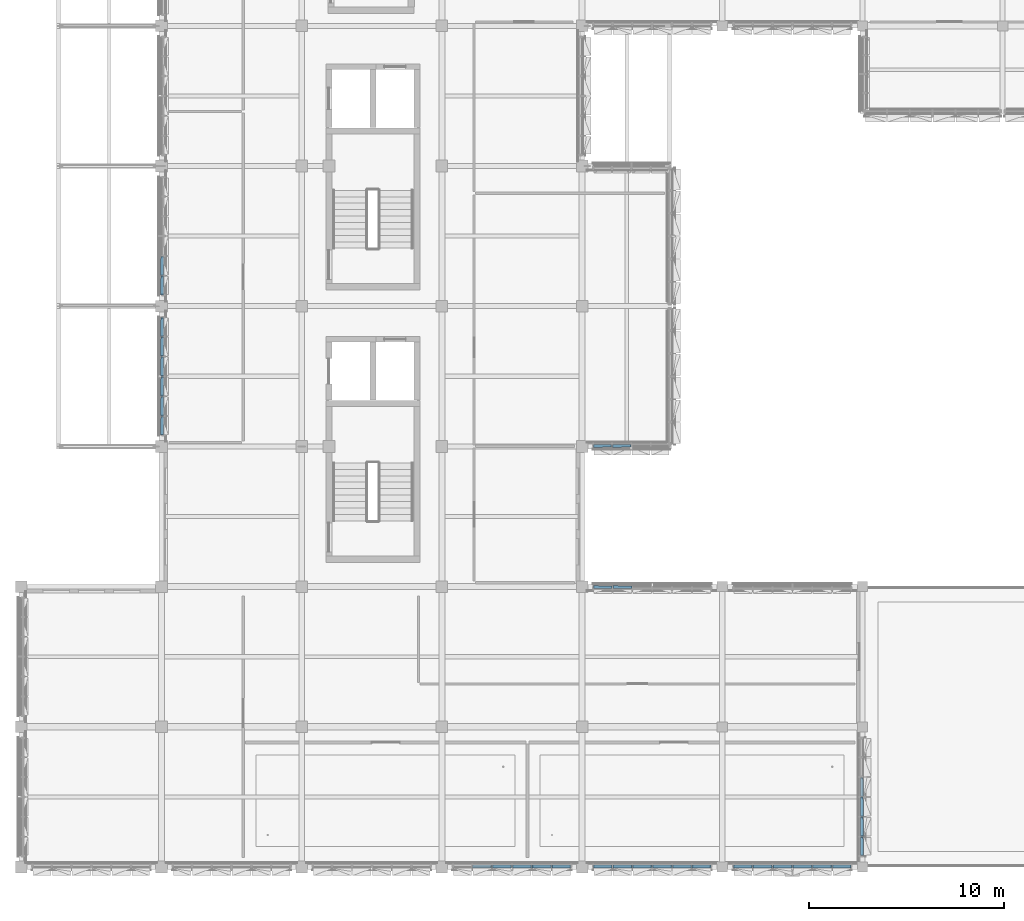
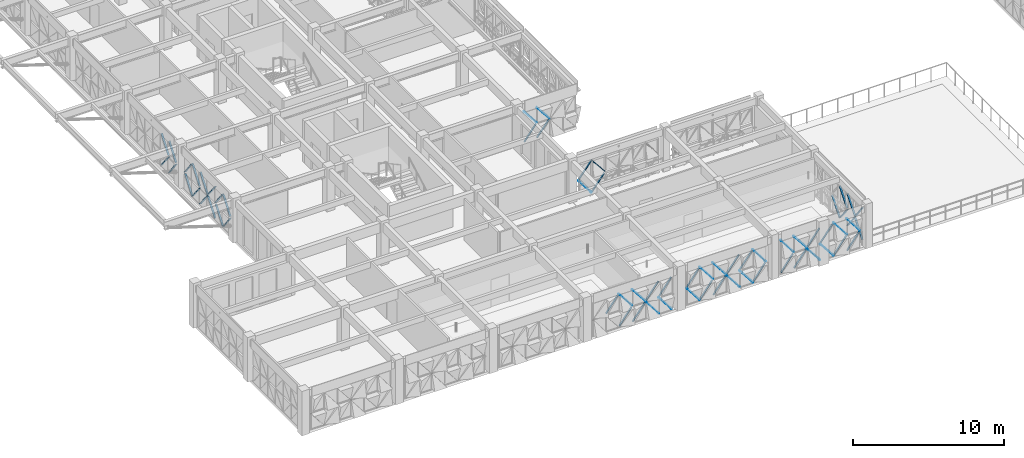
# One storey, part 57 of 99: 64 discrete accessories.
"""IFC4 building model written with IfcOpenShell, lengths in metres."""

from ifc_helpers import new_model, si_unit, direction, frame, origin, origin_2d, place, context, subcontext, project, spatial, rectangle, extrude, material, type_object, element, save


model = new_model("IFC4")

# Units and contexts
model_context = context("Model", 3, precision=1e-05, world=origin(), true_north=direction((0.0, 1.0)))
body_context = subcontext(model_context, "Body", "Model", "MODEL_VIEW")
ifc_project = project(units=[si_unit("LENGTHUNIT", "METRE"), si_unit("AREAUNIT", "SQUARE_METRE"), si_unit("VOLUMEUNIT", "CUBIC_METRE"), si_unit("PLANEANGLEUNIT", "RADIAN"), si_unit("MASSUNIT", "GRAM", prefix="KILO")], contexts=[model_context])

# Site, building, storey
site_placement = place(None, origin())
site = spatial("IfcSite", under=ifc_project, at=site_placement, CompositionType="ELEMENT")
building_placement = place(site_placement, origin())
building = spatial("IfcBuilding", under=site, at=building_placement, Name="Alvorim Cloister Faculty of Sciences", CompositionType="ELEMENT")
storey_placement = place(building_placement, frame((0.0, 0.0, 12.14990234375)))
storey = spatial("IfcBuildingStorey", under=building, at=storey_placement, Name="L03", CompositionType="ELEMENT", Elevation=12.14990234375)

# Discrete accessories
ifc_material = material(Name="Aluminium Alloy 6063-T6", Category="aluminium")
discrete_accessory_type = type_object("IfcDiscreteAccessoryType", Name="ACC-DIAG-BAR", PredefinedType="BRACKET", material=ifc_material)
discrete_accessory_1_placement = place(storey_placement, frame((7.222412109375, 22.205078125, 1.35498046875), z_axis=(0.006562264866, 0.604688699088, -0.796434877359), x_axis=(-0.999941118963, 0.010851663811, 0.0)))
element("IfcDiscreteAccessory", 1, at=discrete_accessory_1_placement, inside=storey, type_object=discrete_accessory_type, Name="Diagonal Cassette Glazing Bracket ACC-01022", PredefinedType="BRACKET", context=body_context, shape_type="SweptSolid", body=[
    extrude(rectangle(XDim=0.139892578125, YDim=0.044921875, at=origin_2d()), origin(), (0.0, 0.0, 1.0), 1.525390625),
])
discrete_accessory_2_placement = place(storey_placement, frame((7.222412109375, 22.205078125, 1.4951171875), z_axis=(0.006561428426, 0.604611624251, 0.796493397008), x_axis=(-0.999941118963, 0.010851663811, 0.0)))
element("IfcDiscreteAccessory", 2, at=discrete_accessory_2_placement, inside=storey, type_object=discrete_accessory_type, Name="Diagonal Cassette Glazing Bracket ACC-01023", PredefinedType="BRACKET", context=body_context, shape_type="SweptSolid", body=[
    extrude(rectangle(XDim=0.139892578125, YDim=0.044921875, at=origin_2d()), origin(), (0.0, 0.0, 1.0), 1.525634765625),
])
discrete_accessory_3_placement = place(storey_placement, frame((7.222412109375, 23.1923828125, 0.14013671875), z_axis=(0.00647732753, 0.618031836495, 0.786126385072), x_axis=(-0.999945083323, 0.010479997039, 0.0)))
element("IfcDiscreteAccessory", 3, at=discrete_accessory_3_placement, inside=storey, type_object=discrete_accessory_type, Name="Diagonal Cassette Glazing Bracket ACC-01024", PredefinedType="BRACKET", context=body_context, shape_type="SweptSolid", body=[
    extrude(rectangle(XDim=0.139892578125, YDim=0.044921875, at=origin_2d()), origin(), (0.0, 0.0, 1.0), 1.54541015625),
])
discrete_accessory_4_placement = place(storey_placement, frame((7.222412109375, 23.1923828125, 2.710205078125), z_axis=(0.006476523147, 0.617955086572, -0.786186724404), x_axis=(-0.999945083323, 0.010479997039, 0.0)))
element("IfcDiscreteAccessory", 4, at=discrete_accessory_4_placement, inside=storey, type_object=discrete_accessory_type, Name="Diagonal Cassette Glazing Bracket ACC-01025", PredefinedType="BRACKET", context=body_context, shape_type="SweptSolid", body=[
    extrude(rectangle(XDim=0.139892578125, YDim=0.044921875, at=origin_2d()), origin(), (0.0, 0.0, 1.0), 1.545654296875),
])
discrete_accessory_5_placement = place(storey_placement, frame((7.222412109375, 24.21240234375, 0.14013671875), z_axis=(0.00647732753, 0.618031836495, 0.786126385072), x_axis=(-0.999945083323, 0.010479997039, 0.0)))
element("IfcDiscreteAccessory", 5, at=discrete_accessory_5_placement, inside=storey, type_object=discrete_accessory_type, Name="Diagonal Cassette Glazing Bracket ACC-01026", PredefinedType="BRACKET", context=body_context, shape_type="SweptSolid", body=[
    extrude(rectangle(XDim=0.139892578125, YDim=0.044921875, at=origin_2d()), origin(), (0.0, 0.0, 1.0), 1.54541015625),
])
discrete_accessory_6_placement = place(storey_placement, frame((7.222412109375, 24.21240234375, 2.710205078125), z_axis=(0.006476523147, 0.617955086572, -0.786186724404), x_axis=(-0.999945083323, 0.010479997039, 0.0)))
element("IfcDiscreteAccessory", 6, at=discrete_accessory_6_placement, inside=storey, type_object=discrete_accessory_type, Name="Diagonal Cassette Glazing Bracket ACC-01027", PredefinedType="BRACKET", context=body_context, shape_type="SweptSolid", body=[
    extrude(rectangle(XDim=0.139892578125, YDim=0.044921875, at=origin_2d()), origin(), (0.0, 0.0, 1.0), 1.545654296875),
])
discrete_accessory_7_placement = place(storey_placement, frame((7.222412109375, 25.232421875, 1.35498046875), z_axis=(0.00647732753, 0.618031836495, -0.786126385072), x_axis=(-0.999945083323, 0.010479997039, 0.0)))
element("IfcDiscreteAccessory", 7, at=discrete_accessory_7_placement, inside=storey, type_object=discrete_accessory_type, Name="Diagonal Cassette Glazing Bracket ACC-01028", PredefinedType="BRACKET", context=body_context, shape_type="SweptSolid", body=[
    extrude(rectangle(XDim=0.139892578125, YDim=0.044921875, at=origin_2d()), origin(), (0.0, 0.0, 1.0), 1.54541015625),
])
discrete_accessory_8_placement = place(storey_placement, frame((7.222412109375, 25.232421875, 1.4951171875), z_axis=(0.006476523147, 0.617955086572, 0.786186724404), x_axis=(-0.999945083323, 0.010479997039, 0.0)))
element("IfcDiscreteAccessory", 8, at=discrete_accessory_8_placement, inside=storey, type_object=discrete_accessory_type, Name="Diagonal Cassette Glazing Bracket ACC-01029", PredefinedType="BRACKET", context=body_context, shape_type="SweptSolid", body=[
    extrude(rectangle(XDim=0.139892578125, YDim=0.044921875, at=origin_2d()), origin(), (0.0, 0.0, 1.0), 1.545654296875),
])
discrete_accessory_9_placement = place(storey_placement, frame((7.222412109375, 26.25244140625, 1.35498046875), z_axis=(0.00647732753, 0.618031836495, -0.786126385072), x_axis=(-0.999945083323, 0.010479997039, 0.0)))
element("IfcDiscreteAccessory", 9, at=discrete_accessory_9_placement, inside=storey, type_object=discrete_accessory_type, Name="Diagonal Cassette Glazing Bracket ACC-01030", PredefinedType="BRACKET", context=body_context, shape_type="SweptSolid", body=[
    extrude(rectangle(XDim=0.139892578125, YDim=0.044921875, at=origin_2d()), origin(), (0.0, 0.0, 1.0), 1.54541015625),
])
discrete_accessory_10_placement = place(storey_placement, frame((7.222412109375, 26.25244140625, 1.4951171875), z_axis=(0.006476523147, 0.617955086572, 0.786186724404), x_axis=(-0.999945083323, 0.010479997039, 0.0)))
element("IfcDiscreteAccessory", 10, at=discrete_accessory_10_placement, inside=storey, type_object=discrete_accessory_type, Name="Diagonal Cassette Glazing Bracket ACC-01031", PredefinedType="BRACKET", context=body_context, shape_type="SweptSolid", body=[
    extrude(rectangle(XDim=0.139892578125, YDim=0.044921875, at=origin_2d()), origin(), (0.0, 0.0, 1.0), 1.545654296875),
])
discrete_accessory_11_placement = place(storey_placement, frame((7.222412109375, 27.2724609375, 0.14013671875), z_axis=(0.006561629754, 0.604790215644, 0.796357796519), x_axis=(-0.999941150118, 0.010848792579, 0.0)))
element("IfcDiscreteAccessory", 11, at=discrete_accessory_11_placement, inside=storey, type_object=discrete_accessory_type, Name="Diagonal Cassette Glazing Bracket ACC-01032", PredefinedType="BRACKET", context=body_context, shape_type="SweptSolid", body=[
    extrude(rectangle(XDim=0.139892578125, YDim=0.044921875, at=origin_2d()), origin(), (0.0, 0.0, 1.0), 1.525390625),
])
discrete_accessory_12_placement = place(storey_placement, frame((7.222412109375, 27.2724609375, 2.710205078125), z_axis=(0.006560793558, 0.604713142785, -0.796416330151), x_axis=(-0.999941150118, 0.010848792579, 0.0)))
element("IfcDiscreteAccessory", 12, at=discrete_accessory_12_placement, inside=storey, type_object=discrete_accessory_type, Name="Diagonal Cassette Glazing Bracket ACC-01033", PredefinedType="BRACKET", context=body_context, shape_type="SweptSolid", body=[
    extrude(rectangle(XDim=0.139892578125, YDim=0.044921875, at=origin_2d()), origin(), (0.0, 0.0, 1.0), 1.525634765625),
])
discrete_accessory_13_placement = place(storey_placement, frame((7.222412109375, 29.405029296875, 1.35498046875), z_axis=(0.006562264866, 0.604688699088, -0.796434877359), x_axis=(-0.999941118963, 0.010851663811, 0.0)))
element("IfcDiscreteAccessory", 13, at=discrete_accessory_13_placement, inside=storey, type_object=discrete_accessory_type, Name="Diagonal Cassette Glazing Bracket ACC-01035", PredefinedType="BRACKET", context=body_context, shape_type="SweptSolid", body=[
    extrude(rectangle(XDim=0.139892578125, YDim=0.044921875, at=origin_2d()), origin(), (0.0, 0.0, 1.0), 1.525390625),
])
discrete_accessory_14_placement = place(storey_placement, frame((7.222412109375, 29.405029296875, 1.4951171875), z_axis=(0.006561428426, 0.604611624251, 0.796493397008), x_axis=(-0.999941118963, 0.010851663811, 0.0)))
element("IfcDiscreteAccessory", 14, at=discrete_accessory_14_placement, inside=storey, type_object=discrete_accessory_type, Name="Diagonal Cassette Glazing Bracket ACC-01036", PredefinedType="BRACKET", context=body_context, shape_type="SweptSolid", body=[
    extrude(rectangle(XDim=0.139892578125, YDim=0.044921875, at=origin_2d()), origin(), (0.0, 0.0, 1.0), 1.525634765625),
])
discrete_accessory_15_placement = place(storey_placement, frame((7.222412109375, 30.392578125, 1.35498046875), z_axis=(0.006477959981, 0.61793418254, -0.786203143012), x_axis=(-0.999945055239, 0.010482676365, 0.0)))
element("IfcDiscreteAccessory", 15, at=discrete_accessory_15_placement, inside=storey, type_object=discrete_accessory_type, Name="Diagonal Cassette Glazing Bracket ACC-01037", PredefinedType="BRACKET", context=body_context, shape_type="SweptSolid", body=[
    extrude(rectangle(XDim=0.139892578125, YDim=0.044921875, at=origin_2d()), origin(), (0.0, 0.0, 1.0), 1.545166015625),
])
discrete_accessory_16_placement = place(storey_placement, frame((7.222412109375, 30.392578125, 1.4951171875), z_axis=(0.006477155362, 0.61785742976, 0.786263469168), x_axis=(-0.999945055239, 0.010482676365, 0.0)))
element("IfcDiscreteAccessory", 16, at=discrete_accessory_16_placement, inside=storey, type_object=discrete_accessory_type, Name="Diagonal Cassette Glazing Bracket ACC-01038", PredefinedType="BRACKET", context=body_context, shape_type="SweptSolid", body=[
    extrude(rectangle(XDim=0.139892578125, YDim=0.044921875, at=origin_2d()), origin(), (0.0, 0.0, 1.0), 1.54541015625),
])
for number, where, z_axis, x_axis, name in (
    (17, (29.405029296875, 21.62255859375, 0.14013671875), (0.617524934404, 0.006887519671, 0.78652114877), (-0.011152733966, 0.999937806329, 0.0), "Diagonal Cassette Glazing Bracket ACC-01549"),
    (18, (29.405029296875, 21.62255859375, 2.566162109375), (0.617524934404, 0.006887519671, -0.78652114877), (-0.011152733966, 0.999937806329, 0.0), "Diagonal Cassette Glazing Bracket ACC-01550"),
):
    element("IfcDiscreteAccessory", number, at=place(storey_placement, frame(where, z_axis=z_axis, x_axis=x_axis)), inside=storey, type_object=discrete_accessory_type, Name=name, PredefinedType="BRACKET", context=body_context, shape_type="SweptSolid", body=[
        extrude(rectangle(XDim=0.139892578125, YDim=0.044921875, at=origin_2d()), origin(), (0.0, 0.0, 1.0), 1.453369140625),
    ])
for number, where, z_axis, x_axis, name in (
    (19, (30.367431640625, 21.62255859375, 0.14013671875), (0.631164140853, 0.006792055059, 0.775619555768), (-0.010760531826, 0.999942103801, 0.0), "Diagonal Cassette Glazing Bracket ACC-01551"),
    (20, (30.367431640625, 21.62255859375, 2.566162109375), (0.631164140853, 0.006792055059, -0.775619555768), (-0.010760531826, 0.999942103801, 0.0), "Diagonal Cassette Glazing Bracket ACC-01552"),
):
    element("IfcDiscreteAccessory", number, at=place(storey_placement, frame(where, z_axis=z_axis, x_axis=x_axis)), inside=storey, type_object=discrete_accessory_type, Name=name, PredefinedType="BRACKET", context=body_context, shape_type="SweptSolid", body=[
        extrude(rectangle(XDim=0.139892578125, YDim=0.044921875, at=origin_2d()), origin(), (0.0, 0.0, 1.0), 1.4736328125),
    ])
discrete_accessory_17_placement = place(storey_placement, frame((29.405029296875, 14.37744140625, 1.35498046875), z_axis=(0.604688699088, -0.006562264866, -0.796434877359), x_axis=(0.010851663811, 0.999941118963, 0.0)))
element("IfcDiscreteAccessory", 21, at=discrete_accessory_17_placement, inside=storey, type_object=discrete_accessory_type, Name="Diagonal Cassette Glazing Bracket ACC-01558", PredefinedType="BRACKET", context=body_context, shape_type="SweptSolid", body=[
    extrude(rectangle(XDim=0.139892578125, YDim=0.044921875, at=origin_2d()), origin(), (0.0, 0.0, 1.0), 1.525390625),
])
discrete_accessory_18_placement = place(storey_placement, frame((29.405029296875, 14.37744140625, 1.4951171875), z_axis=(0.604611624251, -0.006561428426, 0.796493397008), x_axis=(0.010851663811, 0.999941118963, 0.0)))
element("IfcDiscreteAccessory", 22, at=discrete_accessory_18_placement, inside=storey, type_object=discrete_accessory_type, Name="Diagonal Cassette Glazing Bracket ACC-01559", PredefinedType="BRACKET", context=body_context, shape_type="SweptSolid", body=[
    extrude(rectangle(XDim=0.139892578125, YDim=0.044921875, at=origin_2d()), origin(), (0.0, 0.0, 1.0), 1.525634765625),
])
discrete_accessory_19_placement = place(storey_placement, frame((30.392578125, 14.37744140625, 0.14013671875), z_axis=(0.61793418254, -0.006477959981, 0.786203143012), x_axis=(0.010482676365, 0.999945055239, 0.0)))
element("IfcDiscreteAccessory", 23, at=discrete_accessory_19_placement, inside=storey, type_object=discrete_accessory_type, Name="Diagonal Cassette Glazing Bracket ACC-01560", PredefinedType="BRACKET", context=body_context, shape_type="SweptSolid", body=[
    extrude(rectangle(XDim=0.139892578125, YDim=0.044921875, at=origin_2d()), origin(), (0.0, 0.0, 1.0), 1.545166015625),
])
discrete_accessory_20_placement = place(storey_placement, frame((30.392578125, 14.37744140625, 2.710205078125), z_axis=(0.61785742976, -0.006477155362, -0.786263469168), x_axis=(0.010482676365, 0.999945055239, 0.0)))
element("IfcDiscreteAccessory", 24, at=discrete_accessory_20_placement, inside=storey, type_object=discrete_accessory_type, Name="Diagonal Cassette Glazing Bracket ACC-01561", PredefinedType="BRACKET", context=body_context, shape_type="SweptSolid", body=[
    extrude(rectangle(XDim=0.139892578125, YDim=0.044921875, at=origin_2d()), origin(), (0.0, 0.0, 1.0), 1.54541015625),
])
discrete_accessory_21_placement = place(storey_placement, frame((43.177490234375, 0.60498046875, 0.14013671875), z_axis=(-0.006561629754, 0.604790215644, 0.796357796519), x_axis=(-0.999941150118, -0.010848792579, 0.0)))
element("IfcDiscreteAccessory", 25, at=discrete_accessory_21_placement, inside=storey, type_object=discrete_accessory_type, Name="Diagonal Cassette Glazing Bracket ACC-01584", PredefinedType="BRACKET", context=body_context, shape_type="SweptSolid", body=[
    extrude(rectangle(XDim=0.139892578125, YDim=0.044921875, at=origin_2d()), origin(), (0.0, 0.0, 1.0), 1.525390625),
])
discrete_accessory_22_placement = place(storey_placement, frame((43.177490234375, 0.60498046875, 2.710205078125), z_axis=(-0.006560793558, 0.604713142785, -0.796416330151), x_axis=(-0.999941150118, -0.010848792579, 0.0)))
element("IfcDiscreteAccessory", 26, at=discrete_accessory_22_placement, inside=storey, type_object=discrete_accessory_type, Name="Diagonal Cassette Glazing Bracket ACC-01585", PredefinedType="BRACKET", context=body_context, shape_type="SweptSolid", body=[
    extrude(rectangle(XDim=0.139892578125, YDim=0.044921875, at=origin_2d()), origin(), (0.0, 0.0, 1.0), 1.525634765625),
])
discrete_accessory_23_placement = place(storey_placement, frame((43.177490234375, 1.592529296875, 1.35498046875), z_axis=(-0.00647732753, 0.618031836495, -0.786126385072), x_axis=(-0.999945083323, -0.010479997039, 0.0)))
element("IfcDiscreteAccessory", 27, at=discrete_accessory_23_placement, inside=storey, type_object=discrete_accessory_type, Name="Diagonal Cassette Glazing Bracket ACC-01586", PredefinedType="BRACKET", context=body_context, shape_type="SweptSolid", body=[
    extrude(rectangle(XDim=0.139892578125, YDim=0.044921875, at=origin_2d()), origin(), (0.0, 0.0, 1.0), 1.54541015625),
])
discrete_accessory_24_placement = place(storey_placement, frame((43.177490234375, 1.592529296875, 1.4951171875), z_axis=(-0.006476523147, 0.617955086572, 0.786186724404), x_axis=(-0.999945083323, -0.010479997039, 0.0)))
element("IfcDiscreteAccessory", 28, at=discrete_accessory_24_placement, inside=storey, type_object=discrete_accessory_type, Name="Diagonal Cassette Glazing Bracket ACC-01587", PredefinedType="BRACKET", context=body_context, shape_type="SweptSolid", body=[
    extrude(rectangle(XDim=0.139892578125, YDim=0.044921875, at=origin_2d()), origin(), (0.0, 0.0, 1.0), 1.545654296875),
])
discrete_accessory_25_placement = place(storey_placement, frame((43.177490234375, 2.612548828125, 1.35498046875), z_axis=(-0.006477959981, 0.61793418254, -0.786203143012), x_axis=(-0.999945055239, -0.010482676365, 0.0)))
element("IfcDiscreteAccessory", 29, at=discrete_accessory_25_placement, inside=storey, type_object=discrete_accessory_type, Name="Diagonal Cassette Glazing Bracket ACC-01588", PredefinedType="BRACKET", context=body_context, shape_type="SweptSolid", body=[
    extrude(rectangle(XDim=0.139892578125, YDim=0.044921875, at=origin_2d()), origin(), (0.0, 0.0, 1.0), 1.545166015625),
])
discrete_accessory_26_placement = place(storey_placement, frame((43.177490234375, 2.612548828125, 1.4951171875), z_axis=(-0.006477155362, 0.61785742976, 0.786263469168), x_axis=(-0.999945055239, -0.010482676365, 0.0)))
element("IfcDiscreteAccessory", 30, at=discrete_accessory_26_placement, inside=storey, type_object=discrete_accessory_type, Name="Diagonal Cassette Glazing Bracket ACC-01589", PredefinedType="BRACKET", context=body_context, shape_type="SweptSolid", body=[
    extrude(rectangle(XDim=0.139892578125, YDim=0.044921875, at=origin_2d()), origin(), (0.0, 0.0, 1.0), 1.54541015625),
])
discrete_accessory_27_placement = place(storey_placement, frame((43.177490234375, 3.632568359375, 0.14013671875), z_axis=(-0.006477959981, 0.61793418254, 0.786203143012), x_axis=(-0.999945055239, -0.010482676365, 0.0)))
element("IfcDiscreteAccessory", 31, at=discrete_accessory_27_placement, inside=storey, type_object=discrete_accessory_type, Name="Diagonal Cassette Glazing Bracket ACC-01590", PredefinedType="BRACKET", context=body_context, shape_type="SweptSolid", body=[
    extrude(rectangle(XDim=0.139892578125, YDim=0.044921875, at=origin_2d()), origin(), (0.0, 0.0, 1.0), 1.545166015625),
])
discrete_accessory_28_placement = place(storey_placement, frame((36.60498046875, 0.0224609375, 0.14013671875), z_axis=(0.604790215644, 0.006561629754, 0.796357796519), x_axis=(-0.010848792579, 0.999941150118, 0.0)))
element("IfcDiscreteAccessory", 32, at=discrete_accessory_28_placement, inside=storey, type_object=discrete_accessory_type, Name="Diagonal Cassette Glazing Bracket ACC-01597", PredefinedType="BRACKET", context=body_context, shape_type="SweptSolid", body=[
    extrude(rectangle(XDim=0.139892578125, YDim=0.044921875, at=origin_2d()), origin(), (0.0, 0.0, 1.0), 1.525390625),
])
discrete_accessory_29_placement = place(storey_placement, frame((36.60498046875, 0.0224609375, 2.710205078125), z_axis=(0.604713142785, 0.006560793558, -0.796416330151), x_axis=(-0.010848792579, 0.999941150118, 0.0)))
element("IfcDiscreteAccessory", 33, at=discrete_accessory_29_placement, inside=storey, type_object=discrete_accessory_type, Name="Diagonal Cassette Glazing Bracket ACC-01598", PredefinedType="BRACKET", context=body_context, shape_type="SweptSolid", body=[
    extrude(rectangle(XDim=0.139892578125, YDim=0.044921875, at=origin_2d()), origin(), (0.0, 0.0, 1.0), 1.525634765625),
])
discrete_accessory_30_placement = place(storey_placement, frame((37.592529296875, 0.0224609375, 0.14013671875), z_axis=(0.618031836495, 0.00647732753, 0.786126385072), x_axis=(-0.010479997039, 0.999945083323, 0.0)))
element("IfcDiscreteAccessory", 34, at=discrete_accessory_30_placement, inside=storey, type_object=discrete_accessory_type, Name="Diagonal Cassette Glazing Bracket ACC-01599", PredefinedType="BRACKET", context=body_context, shape_type="SweptSolid", body=[
    extrude(rectangle(XDim=0.139892578125, YDim=0.044921875, at=origin_2d()), origin(), (0.0, 0.0, 1.0), 1.54541015625),
])
discrete_accessory_31_placement = place(storey_placement, frame((37.592529296875, 0.0224609375, 2.710205078125), z_axis=(0.617955086572, 0.006476523147, -0.786186724404), x_axis=(-0.010479997039, 0.999945083323, 0.0)))
element("IfcDiscreteAccessory", 35, at=discrete_accessory_31_placement, inside=storey, type_object=discrete_accessory_type, Name="Diagonal Cassette Glazing Bracket ACC-01600", PredefinedType="BRACKET", context=body_context, shape_type="SweptSolid", body=[
    extrude(rectangle(XDim=0.139892578125, YDim=0.044921875, at=origin_2d()), origin(), (0.0, 0.0, 1.0), 1.545654296875),
])
discrete_accessory_32_placement = place(storey_placement, frame((38.612548828125, 0.0224609375, 1.35498046875), z_axis=(0.61793418254, 0.006477959981, -0.786203143012), x_axis=(-0.010482676365, 0.999945055239, 0.0)))
element("IfcDiscreteAccessory", 36, at=discrete_accessory_32_placement, inside=storey, type_object=discrete_accessory_type, Name="Diagonal Cassette Glazing Bracket ACC-01601", PredefinedType="BRACKET", context=body_context, shape_type="SweptSolid", body=[
    extrude(rectangle(XDim=0.139892578125, YDim=0.044921875, at=origin_2d()), origin(), (0.0, 0.0, 1.0), 1.545166015625),
])
discrete_accessory_33_placement = place(storey_placement, frame((38.612548828125, 0.0224609375, 1.4951171875), z_axis=(0.61785742976, 0.006477155362, 0.786263469168), x_axis=(-0.010482676365, 0.999945055239, 0.0)))
element("IfcDiscreteAccessory", 37, at=discrete_accessory_33_placement, inside=storey, type_object=discrete_accessory_type, Name="Diagonal Cassette Glazing Bracket ACC-01602", PredefinedType="BRACKET", context=body_context, shape_type="SweptSolid", body=[
    extrude(rectangle(XDim=0.139892578125, YDim=0.044921875, at=origin_2d()), origin(), (0.0, 0.0, 1.0), 1.54541015625),
])
discrete_accessory_34_placement = place(storey_placement, frame((39.632568359375, 0.0224609375, 1.35498046875), z_axis=(0.61793418254, 0.006477959981, -0.786203143012), x_axis=(-0.010482676365, 0.999945055239, 0.0)))
element("IfcDiscreteAccessory", 38, at=discrete_accessory_34_placement, inside=storey, type_object=discrete_accessory_type, Name="Diagonal Cassette Glazing Bracket ACC-01603", PredefinedType="BRACKET", context=body_context, shape_type="SweptSolid", body=[
    extrude(rectangle(XDim=0.139892578125, YDim=0.044921875, at=origin_2d()), origin(), (0.0, 0.0, 1.0), 1.545166015625),
])
discrete_accessory_35_placement = place(storey_placement, frame((39.632568359375, 0.0224609375, 1.4951171875), z_axis=(0.61785742976, 0.006477155362, 0.786263469168), x_axis=(-0.010482676365, 0.999945055239, 0.0)))
element("IfcDiscreteAccessory", 39, at=discrete_accessory_35_placement, inside=storey, type_object=discrete_accessory_type, Name="Diagonal Cassette Glazing Bracket ACC-01604", PredefinedType="BRACKET", context=body_context, shape_type="SweptSolid", body=[
    extrude(rectangle(XDim=0.139892578125, YDim=0.044921875, at=origin_2d()), origin(), (0.0, 0.0, 1.0), 1.54541015625),
])
discrete_accessory_36_placement = place(storey_placement, frame((40.652587890625, 0.0224609375, 0.14013671875), z_axis=(0.61793418254, 0.006477959981, 0.786203143012), x_axis=(-0.010482676365, 0.999945055239, 0.0)))
element("IfcDiscreteAccessory", 40, at=discrete_accessory_36_placement, inside=storey, type_object=discrete_accessory_type, Name="Diagonal Cassette Glazing Bracket ACC-01605", PredefinedType="BRACKET", context=body_context, shape_type="SweptSolid", body=[
    extrude(rectangle(XDim=0.139892578125, YDim=0.044921875, at=origin_2d()), origin(), (0.0, 0.0, 1.0), 1.545166015625),
])
discrete_accessory_37_placement = place(storey_placement, frame((40.652587890625, 0.0224609375, 2.710205078125), z_axis=(0.61785742976, 0.006477155362, -0.786263469168), x_axis=(-0.010482676365, 0.999945055239, 0.0)))
element("IfcDiscreteAccessory", 41, at=discrete_accessory_37_placement, inside=storey, type_object=discrete_accessory_type, Name="Diagonal Cassette Glazing Bracket ACC-01606", PredefinedType="BRACKET", context=body_context, shape_type="SweptSolid", body=[
    extrude(rectangle(XDim=0.139892578125, YDim=0.044921875, at=origin_2d()), origin(), (0.0, 0.0, 1.0), 1.54541015625),
])
discrete_accessory_38_placement = place(storey_placement, frame((41.672607421875, 0.0224609375, 0.14013671875), z_axis=(0.604688699088, 0.006562264866, 0.796434877359), x_axis=(-0.010851663811, 0.999941118963, 0.0)))
element("IfcDiscreteAccessory", 42, at=discrete_accessory_38_placement, inside=storey, type_object=discrete_accessory_type, Name="Diagonal Cassette Glazing Bracket ACC-01607", PredefinedType="BRACKET", context=body_context, shape_type="SweptSolid", body=[
    extrude(rectangle(XDim=0.139892578125, YDim=0.044921875, at=origin_2d()), origin(), (0.0, 0.0, 1.0), 1.525390625),
])
discrete_accessory_39_placement = place(storey_placement, frame((41.672607421875, 0.0224609375, 2.710205078125), z_axis=(0.604611624251, 0.006561428426, -0.796493397008), x_axis=(-0.010851663811, 0.999941118963, 0.0)))
element("IfcDiscreteAccessory", 43, at=discrete_accessory_39_placement, inside=storey, type_object=discrete_accessory_type, Name="Diagonal Cassette Glazing Bracket ACC-01608", PredefinedType="BRACKET", context=body_context, shape_type="SweptSolid", body=[
    extrude(rectangle(XDim=0.139892578125, YDim=0.044921875, at=origin_2d()), origin(), (0.0, 0.0, 1.0), 1.525634765625),
])
discrete_accessory_40_placement = place(storey_placement, frame((29.405029296875, 0.0224609375, 1.35498046875), z_axis=(0.604688699088, 0.006562264866, -0.796434877359), x_axis=(-0.010851663811, 0.999941118963, 0.0)))
element("IfcDiscreteAccessory", 44, at=discrete_accessory_40_placement, inside=storey, type_object=discrete_accessory_type, Name="Diagonal Cassette Glazing Bracket ACC-01610", PredefinedType="BRACKET", context=body_context, shape_type="SweptSolid", body=[
    extrude(rectangle(XDim=0.139892578125, YDim=0.044921875, at=origin_2d()), origin(), (0.0, 0.0, 1.0), 1.525390625),
])
discrete_accessory_41_placement = place(storey_placement, frame((29.405029296875, 0.0224609375, 1.4951171875), z_axis=(0.604611624251, 0.006561428426, 0.796493397008), x_axis=(-0.010851663811, 0.999941118963, 0.0)))
element("IfcDiscreteAccessory", 45, at=discrete_accessory_41_placement, inside=storey, type_object=discrete_accessory_type, Name="Diagonal Cassette Glazing Bracket ACC-01611", PredefinedType="BRACKET", context=body_context, shape_type="SweptSolid", body=[
    extrude(rectangle(XDim=0.139892578125, YDim=0.044921875, at=origin_2d()), origin(), (0.0, 0.0, 1.0), 1.525634765625),
])
discrete_accessory_42_placement = place(storey_placement, frame((30.392578125, 0.0224609375, 0.14013671875), z_axis=(0.61793418254, 0.006477959981, 0.786203143012), x_axis=(-0.010482676365, 0.999945055239, 0.0)))
element("IfcDiscreteAccessory", 46, at=discrete_accessory_42_placement, inside=storey, type_object=discrete_accessory_type, Name="Diagonal Cassette Glazing Bracket ACC-01612", PredefinedType="BRACKET", context=body_context, shape_type="SweptSolid", body=[
    extrude(rectangle(XDim=0.139892578125, YDim=0.044921875, at=origin_2d()), origin(), (0.0, 0.0, 1.0), 1.545166015625),
])
discrete_accessory_43_placement = place(storey_placement, frame((30.392578125, 0.0224609375, 2.710205078125), z_axis=(0.61785742976, 0.006477155362, -0.786263469168), x_axis=(-0.010482676365, 0.999945055239, 0.0)))
element("IfcDiscreteAccessory", 47, at=discrete_accessory_43_placement, inside=storey, type_object=discrete_accessory_type, Name="Diagonal Cassette Glazing Bracket ACC-01613", PredefinedType="BRACKET", context=body_context, shape_type="SweptSolid", body=[
    extrude(rectangle(XDim=0.139892578125, YDim=0.044921875, at=origin_2d()), origin(), (0.0, 0.0, 1.0), 1.54541015625),
])
discrete_accessory_44_placement = place(storey_placement, frame((31.41259765625, 0.0224609375, 0.14013671875), z_axis=(0.61793418254, 0.006477959981, 0.786203143012), x_axis=(-0.010482676365, 0.999945055239, 0.0)))
element("IfcDiscreteAccessory", 48, at=discrete_accessory_44_placement, inside=storey, type_object=discrete_accessory_type, Name="Diagonal Cassette Glazing Bracket ACC-01614", PredefinedType="BRACKET", context=body_context, shape_type="SweptSolid", body=[
    extrude(rectangle(XDim=0.139892578125, YDim=0.044921875, at=origin_2d()), origin(), (0.0, 0.0, 1.0), 1.545166015625),
])
discrete_accessory_45_placement = place(storey_placement, frame((31.41259765625, 0.0224609375, 2.710205078125), z_axis=(0.61785742976, 0.006477155362, -0.786263469168), x_axis=(-0.010482676365, 0.999945055239, 0.0)))
element("IfcDiscreteAccessory", 49, at=discrete_accessory_45_placement, inside=storey, type_object=discrete_accessory_type, Name="Diagonal Cassette Glazing Bracket ACC-01615", PredefinedType="BRACKET", context=body_context, shape_type="SweptSolid", body=[
    extrude(rectangle(XDim=0.139892578125, YDim=0.044921875, at=origin_2d()), origin(), (0.0, 0.0, 1.0), 1.54541015625),
])
discrete_accessory_46_placement = place(storey_placement, frame((32.4326171875, 0.0224609375, 1.35498046875), z_axis=(0.61793418254, 0.006477959981, -0.786203143012), x_axis=(-0.010482676365, 0.999945055239, 0.0)))
element("IfcDiscreteAccessory", 50, at=discrete_accessory_46_placement, inside=storey, type_object=discrete_accessory_type, Name="Diagonal Cassette Glazing Bracket ACC-01616", PredefinedType="BRACKET", context=body_context, shape_type="SweptSolid", body=[
    extrude(rectangle(XDim=0.139892578125, YDim=0.044921875, at=origin_2d()), origin(), (0.0, 0.0, 1.0), 1.545166015625),
])
for number, where, z_axis, x_axis, name in (
    (51, (32.4326171875, 0.0224609375, 1.4951171875), (0.61785742976, 0.006477155362, 0.786263469168), (-0.010482676365, 0.999945055239, 0.0), "Diagonal Cassette Glazing Bracket ACC-01617"),
    (52, (33.452392578125, 0.0224609375, 1.35498046875), (0.618031836495, 0.00647732753, -0.786126385072), (-0.010479997039, 0.999945083323, 0.0), "Diagonal Cassette Glazing Bracket ACC-01618"),
):
    element("IfcDiscreteAccessory", number, at=place(storey_placement, frame(where, z_axis=z_axis, x_axis=x_axis)), inside=storey, type_object=discrete_accessory_type, Name=name, PredefinedType="BRACKET", context=body_context, shape_type="SweptSolid", body=[
        extrude(rectangle(XDim=0.139892578125, YDim=0.044921875, at=origin_2d()), origin(), (0.0, 0.0, 1.0), 1.54541015625),
    ])
discrete_accessory_47_placement = place(storey_placement, frame((33.452392578125, 0.0224609375, 1.4951171875), z_axis=(0.617955086572, 0.006476523147, 0.786186724404), x_axis=(-0.010479997039, 0.999945083323, 0.0)))
element("IfcDiscreteAccessory", 53, at=discrete_accessory_47_placement, inside=storey, type_object=discrete_accessory_type, Name="Diagonal Cassette Glazing Bracket ACC-01619", PredefinedType="BRACKET", context=body_context, shape_type="SweptSolid", body=[
    extrude(rectangle(XDim=0.139892578125, YDim=0.044921875, at=origin_2d()), origin(), (0.0, 0.0, 1.0), 1.545654296875),
])
discrete_accessory_48_placement = place(storey_placement, frame((34.472412109375, 0.0224609375, 0.14013671875), z_axis=(0.604790215644, 0.006561629754, 0.796357796519), x_axis=(-0.010848792579, 0.999941150118, 0.0)))
element("IfcDiscreteAccessory", 54, at=discrete_accessory_48_placement, inside=storey, type_object=discrete_accessory_type, Name="Diagonal Cassette Glazing Bracket ACC-01620", PredefinedType="BRACKET", context=body_context, shape_type="SweptSolid", body=[
    extrude(rectangle(XDim=0.139892578125, YDim=0.044921875, at=origin_2d()), origin(), (0.0, 0.0, 1.0), 1.525390625),
])
discrete_accessory_49_placement = place(storey_placement, frame((34.472412109375, 0.0224609375, 2.710205078125), z_axis=(0.604713142785, 0.006560793558, -0.796416330151), x_axis=(-0.010848792579, 0.999941150118, 0.0)))
element("IfcDiscreteAccessory", 55, at=discrete_accessory_49_placement, inside=storey, type_object=discrete_accessory_type, Name="Diagonal Cassette Glazing Bracket ACC-01621", PredefinedType="BRACKET", context=body_context, shape_type="SweptSolid", body=[
    extrude(rectangle(XDim=0.139892578125, YDim=0.044921875, at=origin_2d()), origin(), (0.0, 0.0, 1.0), 1.525634765625),
])
discrete_accessory_50_placement = place(storey_placement, frame((23.1923828125, 0.0224609375, 1.4951171875), z_axis=(0.617955086572, 0.006476523147, 0.786186724404), x_axis=(-0.010479997039, 0.999945083323, 0.0)))
element("IfcDiscreteAccessory", 56, at=discrete_accessory_50_placement, inside=storey, type_object=discrete_accessory_type, Name="Diagonal Cassette Glazing Bracket ACC-01626", PredefinedType="BRACKET", context=body_context, shape_type="SweptSolid", body=[
    extrude(rectangle(XDim=0.139892578125, YDim=0.044921875, at=origin_2d()), origin(), (0.0, 0.0, 1.0), 1.545654296875),
])
discrete_accessory_51_placement = place(storey_placement, frame((24.21240234375, 0.0224609375, 0.14013671875), z_axis=(0.618031836495, 0.00647732753, 0.786126385072), x_axis=(-0.010479997039, 0.999945083323, 0.0)))
element("IfcDiscreteAccessory", 57, at=discrete_accessory_51_placement, inside=storey, type_object=discrete_accessory_type, Name="Diagonal Cassette Glazing Bracket ACC-01627", PredefinedType="BRACKET", context=body_context, shape_type="SweptSolid", body=[
    extrude(rectangle(XDim=0.139892578125, YDim=0.044921875, at=origin_2d()), origin(), (0.0, 0.0, 1.0), 1.54541015625),
])
discrete_accessory_52_placement = place(storey_placement, frame((24.21240234375, 0.0224609375, 2.710205078125), z_axis=(0.617955086572, 0.006476523147, -0.786186724404), x_axis=(-0.010479997039, 0.999945083323, 0.0)))
element("IfcDiscreteAccessory", 58, at=discrete_accessory_52_placement, inside=storey, type_object=discrete_accessory_type, Name="Diagonal Cassette Glazing Bracket ACC-01628", PredefinedType="BRACKET", context=body_context, shape_type="SweptSolid", body=[
    extrude(rectangle(XDim=0.139892578125, YDim=0.044921875, at=origin_2d()), origin(), (0.0, 0.0, 1.0), 1.545654296875),
])
discrete_accessory_53_placement = place(storey_placement, frame((25.232421875, 0.0224609375, 0.14013671875), z_axis=(0.618031836495, 0.00647732753, 0.786126385072), x_axis=(-0.010479997039, 0.999945083323, 0.0)))
element("IfcDiscreteAccessory", 59, at=discrete_accessory_53_placement, inside=storey, type_object=discrete_accessory_type, Name="Diagonal Cassette Glazing Bracket ACC-01629", PredefinedType="BRACKET", context=body_context, shape_type="SweptSolid", body=[
    extrude(rectangle(XDim=0.139892578125, YDim=0.044921875, at=origin_2d()), origin(), (0.0, 0.0, 1.0), 1.54541015625),
])
discrete_accessory_54_placement = place(storey_placement, frame((25.232421875, 0.0224609375, 2.710205078125), z_axis=(0.617955086572, 0.006476523147, -0.786186724404), x_axis=(-0.010479997039, 0.999945083323, 0.0)))
element("IfcDiscreteAccessory", 60, at=discrete_accessory_54_placement, inside=storey, type_object=discrete_accessory_type, Name="Diagonal Cassette Glazing Bracket ACC-01630", PredefinedType="BRACKET", context=body_context, shape_type="SweptSolid", body=[
    extrude(rectangle(XDim=0.139892578125, YDim=0.044921875, at=origin_2d()), origin(), (0.0, 0.0, 1.0), 1.545654296875),
])
discrete_accessory_55_placement = place(storey_placement, frame((26.25244140625, 0.0224609375, 1.35498046875), z_axis=(0.618031836495, 0.00647732753, -0.786126385072), x_axis=(-0.010479997039, 0.999945083323, 0.0)))
element("IfcDiscreteAccessory", 61, at=discrete_accessory_55_placement, inside=storey, type_object=discrete_accessory_type, Name="Diagonal Cassette Glazing Bracket ACC-01631", PredefinedType="BRACKET", context=body_context, shape_type="SweptSolid", body=[
    extrude(rectangle(XDim=0.139892578125, YDim=0.044921875, at=origin_2d()), origin(), (0.0, 0.0, 1.0), 1.54541015625),
])
discrete_accessory_56_placement = place(storey_placement, frame((26.25244140625, 0.0224609375, 1.4951171875), z_axis=(0.617955086572, 0.006476523147, 0.786186724404), x_axis=(-0.010479997039, 0.999945083323, 0.0)))
element("IfcDiscreteAccessory", 62, at=discrete_accessory_56_placement, inside=storey, type_object=discrete_accessory_type, Name="Diagonal Cassette Glazing Bracket ACC-01632", PredefinedType="BRACKET", context=body_context, shape_type="SweptSolid", body=[
    extrude(rectangle(XDim=0.139892578125, YDim=0.044921875, at=origin_2d()), origin(), (0.0, 0.0, 1.0), 1.545654296875),
])
discrete_accessory_57_placement = place(storey_placement, frame((27.2724609375, 0.0224609375, 1.35498046875), z_axis=(0.604790215644, 0.006561629754, -0.796357796519), x_axis=(-0.010848792579, 0.999941150118, 0.0)))
element("IfcDiscreteAccessory", 63, at=discrete_accessory_57_placement, inside=storey, type_object=discrete_accessory_type, Name="Diagonal Cassette Glazing Bracket ACC-01633", PredefinedType="BRACKET", context=body_context, shape_type="SweptSolid", body=[
    extrude(rectangle(XDim=0.139892578125, YDim=0.044921875, at=origin_2d()), origin(), (0.0, 0.0, 1.0), 1.525390625),
])
discrete_accessory_58_placement = place(storey_placement, frame((27.2724609375, 0.0224609375, 1.4951171875), z_axis=(0.604713142785, 0.006560793558, 0.796416330151), x_axis=(-0.010848792579, 0.999941150118, 0.0)))
element("IfcDiscreteAccessory", 64, at=discrete_accessory_58_placement, inside=storey, type_object=discrete_accessory_type, Name="Diagonal Cassette Glazing Bracket ACC-01634", PredefinedType="BRACKET", context=body_context, shape_type="SweptSolid", body=[
    extrude(rectangle(XDim=0.139892578125, YDim=0.044921875, at=origin_2d()), origin(), (0.0, 0.0, 1.0), 1.525634765625),
])

save(model, "model.ifc")
